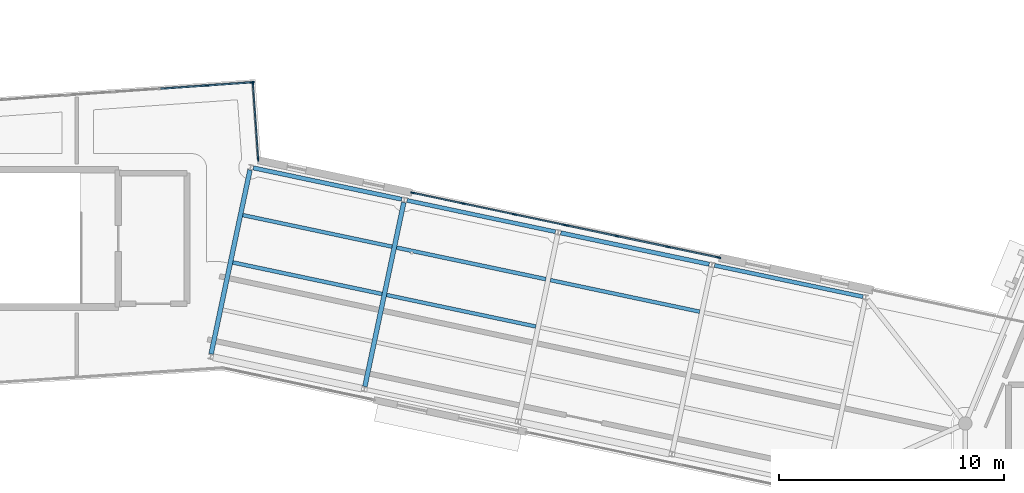
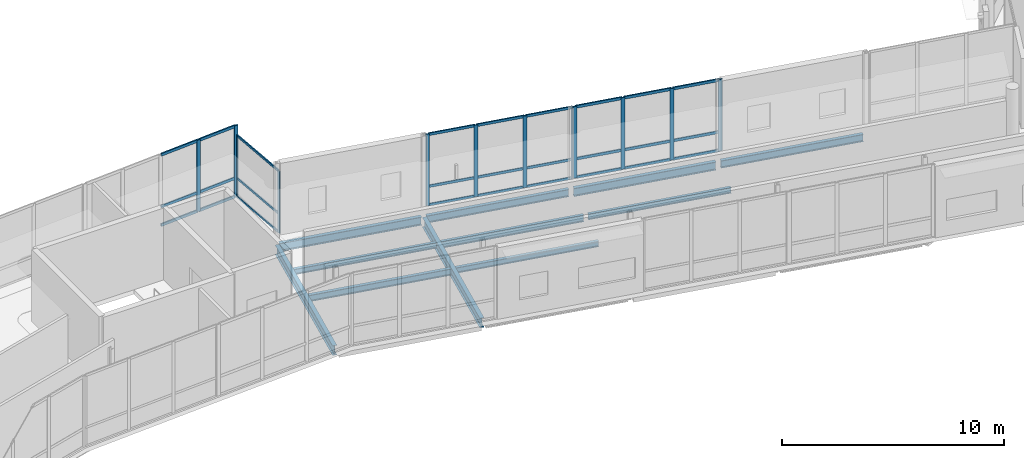
# One storey, part 37 of 125: 39 members, 11 beams, 4 elements without a shape of their own.
"""IFC4 building model written with IfcOpenShell, lengths in metres."""

from ifc_helpers import new_model, si_unit, direction, frame, origin, origin_2d, place, context, subcontext, project, spatial, rectangle, i_section, extrude, material, material_profile, profile_set, type_object, element, aggregate, save


model = new_model("IFC4")

# Units and contexts
model_context = context("Model", 3, precision=1e-05, world=origin(), true_north=direction((0.0, 1.0)))
body_context = subcontext(model_context, "Body", "Model", "MODEL_VIEW")
ifc_project = project(units=[si_unit("LENGTHUNIT", "METRE"), si_unit("AREAUNIT", "SQUARE_METRE"), si_unit("VOLUMEUNIT", "CUBIC_METRE"), si_unit("PLANEANGLEUNIT", "RADIAN"), si_unit("MASSUNIT", "GRAM", prefix="KILO")], contexts=[model_context])

# Site, building, storey
site_placement = place(None, origin())
site = spatial("IfcSite", under=ifc_project, at=site_placement, CompositionType="ELEMENT")
building_placement = place(site_placement, origin())
building = spatial("IfcBuilding", under=site, at=building_placement, Name="Wrenclough Park School", CompositionType="ELEMENT")
storey_placement = place(building_placement, frame((0.0, 0.0, 4.199951171875)))
storey = spatial("IfcBuildingStorey", under=building, at=storey_placement, Name="L01", CompositionType="ELEMENT", Elevation=4.199951171875)

# Curtain wall, members
ifc_material_1 = material(Name="Thermally broken aluminium and low-e glass curtain wall", Category="aluminium")
curtain_wall_type_1 = type_object("IfcCurtainWallType", Name="ENV-CW-04", PredefinedType="USERDEFINED", material=ifc_material_1)
curtain_wall_1_placement = place(storey_placement, origin())
curtain_wall_1 = element("IfcCurtainWall", 1, at=curtain_wall_1_placement, inside=storey, type_object=curtain_wall_type_1, Name="L01 recessed curtain wall assembly 147", ObjectType="CURTAIN WALL", PredefinedType="USERDEFINED")
ifc_material_2 = material(Name="Thermally broken anodised aluminium", Category="aluminium")
ifc_material_profile_1 = material_profile(ifc_material_2, rectangle(XDim=0.06005859375, YDim=0.159912109375, at=origin_2d()), Name="AL MULLION 60x160")
ifc_profile_set_1 = profile_set([ifc_material_profile_1], Name="Thermally broken anodised aluminium")
member_type_1 = type_object("IfcMemberType", Name="ENV-CWM-1", PredefinedType="MULLION", material=ifc_profile_set_1)
member_1_placement = place(storey_placement, frame((101.82421875, 46.00830078125, 0.0), z_axis=(0.0, 0.0, 1.0), x_axis=(0.997566703256, 0.069718523753, 0.0)))
member_1 = element("IfcMember", 2, at=member_1_placement, type_object=member_type_1, Name="CW-04 mullion 1", PredefinedType="MULLION", context=body_context, shape_type="SweptSolid", body=[
    extrude(rectangle(XDim=0.06005859375, YDim=0.159912109375, at=origin_2d()), origin(), (0.0, 0.0, 1.0), 3.4189453125),
])
member_2_placement = place(storey_placement, frame((102.0615234375, 42.61279296875, 0.0), z_axis=(0.0, 0.0, 1.0), x_axis=(0.997566703256, 0.069718523753, 0.0)))
member_2 = element("IfcMember", 3, at=member_2_placement, type_object=member_type_1, Name="CW-04 mullion 2", PredefinedType="MULLION", context=body_context, shape_type="SweptSolid", body=[
    extrude(rectangle(XDim=0.06005859375, YDim=0.159912109375, at=origin_2d()), origin(), (0.0, 0.0, 1.0), 3.4189453125),
])

curtain_wall_type_2 = type_object("IfcCurtainWallType", Name="ENV-CW-05", PredefinedType="USERDEFINED", material=ifc_material_1)
curtain_wall_2_placement = place(storey_placement, origin())
curtain_wall_2 = element("IfcCurtainWall", 4, at=curtain_wall_2_placement, inside=storey, type_object=curtain_wall_type_2, Name="L01 recessed curtain wall assembly 148", ObjectType="CURTAIN WALL", PredefinedType="USERDEFINED")
ifc_material_profile_2 = material_profile(ifc_material_2, rectangle(XDim=0.06494140625, YDim=0.179931640625, at=origin_2d()), Name="AL MULLION 65x180")
ifc_profile_set_2 = profile_set([ifc_material_profile_2], Name="Thermally broken anodised aluminium")
member_type_2 = type_object("IfcMemberType", Name="ENV-CWM-2", PredefinedType="MULLION", material=ifc_profile_set_2)
member_3_placement = place(storey_placement, frame((108.928955078125, 41.127685546875, 0.0), z_axis=(0.0, 0.0, 1.0), x_axis=(0.206819986347, 0.978379013086, 0.0)))
member_3 = element("IfcMember", 5, at=member_3_placement, type_object=member_type_2, Name="CW-05 mullion 1", PredefinedType="MULLION", context=body_context, shape_type="SweptSolid", body=[
    extrude(rectangle(XDim=0.06494140625, YDim=0.179931640625, at=origin_2d()), origin(), (0.0, 0.0, 1.0), 3.93994140625),
])
member_4_placement = place(storey_placement, frame((111.1708984375, 40.65380859375, 0.0), z_axis=(0.0, 0.0, 1.0), x_axis=(0.206819986347, 0.978379013086, 0.0)))
member_4 = element("IfcMember", 6, at=member_4_placement, type_object=member_type_2, Name="CW-05 mullion 2", PredefinedType="MULLION", context=body_context, shape_type="SweptSolid", body=[
    extrude(rectangle(XDim=0.06494140625, YDim=0.179931640625, at=origin_2d()), origin(), (0.0, 0.0, 1.0), 3.93994140625),
])
member_5_placement = place(storey_placement, frame((113.44482421875, 40.173095703125, 0.0), z_axis=(0.0, 0.0, 1.0), x_axis=(0.206819986347, 0.978379013086, 0.0)))
member_5 = element("IfcMember", 7, at=member_5_placement, type_object=member_type_2, Name="CW-05 mullion 3", PredefinedType="MULLION", context=body_context, shape_type="SweptSolid", body=[
    extrude(rectangle(XDim=0.06494140625, YDim=0.179931640625, at=origin_2d()), origin(), (0.0, 0.0, 1.0), 3.93994140625),
])
member_6_placement = place(storey_placement, frame((115.686767578125, 39.69921875, 0.0), z_axis=(0.0, 0.0, 1.0), x_axis=(0.206819986347, 0.978379013086, 0.0)))
member_6 = element("IfcMember", 8, at=member_6_placement, type_object=member_type_2, Name="CW-05 mullion 4", PredefinedType="MULLION", context=body_context, shape_type="SweptSolid", body=[
    extrude(rectangle(XDim=0.06494140625, YDim=0.179931640625, at=origin_2d()), origin(), (0.0, 0.0, 1.0), 3.93994140625),
])

curtain_wall_type_3 = type_object("IfcCurtainWallType", Name="ENV-CW-03", PredefinedType="USERDEFINED", material=ifc_material_1)
curtain_wall_3_placement = place(storey_placement, origin())
curtain_wall_3 = element("IfcCurtainWall", 9, at=curtain_wall_3_placement, inside=storey, type_object=curtain_wall_type_3, Name="L01 recessed curtain wall assembly 146", ObjectType="CURTAIN WALL", PredefinedType="USERDEFINED")
ifc_material_profile_3 = material_profile(ifc_material_2, rectangle(XDim=0.070068359375, YDim=0.199951171875, at=origin_2d()), Name="AL MULLION 70x200")
ifc_profile_set_3 = profile_set([ifc_material_profile_3], Name="Thermally broken anodised aluminium")
member_type_3 = type_object("IfcMemberType", Name="ENV-CWM-3", PredefinedType="MULLION", material=ifc_profile_set_3)
member_7_placement = place(storey_placement, frame((99.7548828125, 45.897705078125, 0.0), z_axis=(0.0, 0.0, 1.0), x_axis=(-0.069752977869, 0.997564294709, 0.0)))
member_7 = element("IfcMember", 10, at=member_7_placement, type_object=member_type_3, Name="CW-03 mullion 4", PredefinedType="MULLION", context=body_context, shape_type="SweptSolid", body=[
    extrude(rectangle(XDim=0.070068359375, YDim=0.199951171875, at=origin_2d()), origin(), (0.0, 0.0, 1.0), 3.93994140625),
])
member_8_placement = place(storey_placement, frame((101.782958984375, 46.03955078125, 0.0), z_axis=(0.0, 0.0, 1.0), x_axis=(-0.069752977869, 0.997564294709, 0.0)))
member_8 = element("IfcMember", 11, at=member_8_placement, type_object=member_type_3, Name="CW-03 mullion 5", PredefinedType="MULLION", context=body_context, shape_type="SweptSolid", body=[
    extrude(rectangle(XDim=0.070068359375, YDim=0.199951171875, at=origin_2d()), origin(), (0.0, 0.0, 1.0), 3.93994140625),
])

curtain_wall_type_4 = type_object("IfcCurtainWallType", Name="ENV-CW-06", PredefinedType="USERDEFINED", material=ifc_material_1)
curtain_wall_4_placement = place(storey_placement, origin())
curtain_wall_4 = element("IfcCurtainWall", 12, at=curtain_wall_4_placement, inside=storey, type_object=curtain_wall_type_4, Name="L01 recessed curtain wall assembly 149", ObjectType="CURTAIN WALL", PredefinedType="USERDEFINED")
member_9_placement = place(storey_placement, frame((115.7607421875, 39.68359375, 0.0), z_axis=(0.0, 0.0, 1.0), x_axis=(0.206806257207, 0.978381915195, 0.0)))
member_9 = element("IfcMember", 13, at=member_9_placement, type_object=member_type_3, Name="CW-06 mullion 1", PredefinedType="MULLION", context=body_context, shape_type="SweptSolid", body=[
    extrude(rectangle(XDim=0.070068359375, YDim=0.199951171875, at=origin_2d()), origin(), (0.0, 0.0, 1.0), 3.93994140625),
])
member_10_placement = place(storey_placement, frame((118.000244140625, 39.210205078125, 0.0), z_axis=(0.0, 0.0, 1.0), x_axis=(0.206806257207, 0.978381915195, 0.0)))
member_10 = element("IfcMember", 14, at=member_10_placement, type_object=member_type_3, Name="CW-06 mullion 2", PredefinedType="MULLION", context=body_context, shape_type="SweptSolid", body=[
    extrude(rectangle(XDim=0.070068359375, YDim=0.199951171875, at=origin_2d()), origin(), (0.0, 0.0, 1.0), 3.93994140625),
])
member_11_placement = place(storey_placement, frame((120.274169921875, 38.7294921875, 0.0), z_axis=(0.0, 0.0, 1.0), x_axis=(0.206806257207, 0.978381915195, 0.0)))
member_11 = element("IfcMember", 15, at=member_11_placement, type_object=member_type_3, Name="CW-06 mullion 3", PredefinedType="MULLION", context=body_context, shape_type="SweptSolid", body=[
    extrude(rectangle(XDim=0.070068359375, YDim=0.199951171875, at=origin_2d()), origin(), (0.0, 0.0, 1.0), 3.93994140625),
])
member_12_placement = place(storey_placement, frame((122.513671875, 38.256103515625, 0.0), z_axis=(0.0, 0.0, 1.0), x_axis=(0.206806257207, 0.978381915195, 0.0)))
member_12 = element("IfcMember", 16, at=member_12_placement, type_object=member_type_3, Name="CW-06 mullion 4", PredefinedType="MULLION", context=body_context, shape_type="SweptSolid", body=[
    extrude(rectangle(XDim=0.070068359375, YDim=0.199951171875, at=origin_2d()), origin(), (0.0, 0.0, 1.0), 3.93994140625),
])

# Member
ifc_material_profile_4 = material_profile(ifc_material_2, rectangle(XDim=0.06005859375, YDim=0.1201171875, at=origin_2d()), Name="AL TRANSOM 60x120")
ifc_profile_set_4 = profile_set([ifc_material_profile_4], Name="Thermally broken anodised aluminium")
member_type_4 = type_object("IfcMemberType", Name="ENV-CWT-1", PredefinedType="USERDEFINED", material=ifc_profile_set_4)
member_13_placement = place(storey_placement, frame((101.826171875, 45.978515625, 0.030029296875), z_axis=(0.069721603924, -0.997566487983, 0.0), x_axis=(0.997566487983, 0.069721603924, 0.0)))
member_13 = element("IfcMember", 17, at=member_13_placement, type_object=member_type_4, Name="CW-04 transom 1.1", ObjectType="TRANSOM", PredefinedType="USERDEFINED", context=body_context, shape_type="SweptSolid", body=[
    extrude(rectangle(XDim=0.06005859375, YDim=0.1201171875, at=origin_2d()), origin(), (0.0, 0.0, 1.0), 3.343994140625),
])

member_14_placement = place(storey_placement, frame((101.826171875, 45.978515625, 1.050048828125), z_axis=(0.069721603924, -0.997566487983, 0.0), x_axis=(0.997566487983, 0.069721603924, 0.0)))
member_14 = element("IfcMember", 18, at=member_14_placement, type_object=member_type_4, Name="CW-04 transom 1.2", ObjectType="TRANSOM", PredefinedType="USERDEFINED", context=body_context, shape_type="SweptSolid", body=[
    extrude(rectangle(XDim=0.06005859375, YDim=0.1201171875, at=origin_2d()), origin(), (0.0, 0.0, 1.0), 3.343994140625),
])

member_15_placement = place(storey_placement, frame((101.826171875, 45.978515625, 3.388916015625), z_axis=(0.069721603924, -0.997566487983, 0.0), x_axis=(0.997566487983, 0.069721603924, 0.0)))
member_15 = element("IfcMember", 19, at=member_15_placement, type_object=member_type_4, Name="CW-04 transom 1.3", ObjectType="TRANSOM", PredefinedType="USERDEFINED", context=body_context, shape_type="SweptSolid", body=[
    extrude(rectangle(XDim=0.06005859375, YDim=0.1201171875, at=origin_2d()), origin(), (0.0, 0.0, 1.0), 3.343994140625),
])

aggregate(curtain_wall_1, [member_1, member_2, member_13, member_14, member_15])

ifc_material_profile_5 = material_profile(ifc_material_2, rectangle(XDim=0.06494140625, YDim=0.139892578125, at=origin_2d()), Name="AL TRANSOM 65x140")
ifc_profile_set_5 = profile_set([ifc_material_profile_5], Name="Thermally broken anodised aluminium")
member_type_5 = type_object("IfcMemberType", Name="ENV-CWT-2", PredefinedType="USERDEFINED", material=ifc_profile_set_5)
member_16_placement = place(storey_placement, frame((108.960693359375, 41.120849609375, 0.032470703125), z_axis=(0.978384272074, -0.206795106705, 0.0), x_axis=(0.206795106705, 0.978384272074, 0.0)))
member_16 = element("IfcMember", 20, at=member_16_placement, type_object=member_type_5, Name="CW-05 transom 1.1", ObjectType="TRANSOM", PredefinedType="USERDEFINED", context=body_context, shape_type="SweptSolid", body=[
    extrude(rectangle(XDim=0.06494140625, YDim=0.139892578125, at=origin_2d()), origin(), (0.0, 0.0, 1.0), 2.2265625),
])

member_17_placement = place(storey_placement, frame((108.960693359375, 41.120849609375, 1.050048828125), z_axis=(0.978384272074, -0.206795106705, 0.0), x_axis=(0.206795106705, 0.978384272074, 0.0)))
member_17 = element("IfcMember", 21, at=member_17_placement, type_object=member_type_5, Name="CW-05 transom 1.2", ObjectType="TRANSOM", PredefinedType="USERDEFINED", context=body_context, shape_type="SweptSolid", body=[
    extrude(rectangle(XDim=0.06494140625, YDim=0.139892578125, at=origin_2d()), origin(), (0.0, 0.0, 1.0), 2.2265625),
])

member_18_placement = place(storey_placement, frame((108.960693359375, 41.120849609375, 3.907470703125), z_axis=(0.978384272074, -0.206795106705, 0.0), x_axis=(0.206795106705, 0.978384272074, 0.0)))
member_18 = element("IfcMember", 22, at=member_18_placement, type_object=member_type_5, Name="CW-05 transom 1.3", ObjectType="TRANSOM", PredefinedType="USERDEFINED", context=body_context, shape_type="SweptSolid", body=[
    extrude(rectangle(XDim=0.06494140625, YDim=0.139892578125, at=origin_2d()), origin(), (0.0, 0.0, 1.0), 2.2265625),
])

member_19_placement = place(storey_placement, frame((111.20263671875, 40.64697265625, 0.032470703125), z_axis=(0.978377464838, -0.206827310327, 0.0), x_axis=(0.206827310327, 0.978377464838, 0.0)))
member_19 = element("IfcMember", 23, at=member_19_placement, type_object=member_type_5, Name="CW-05 transom 2.1", ObjectType="TRANSOM", PredefinedType="USERDEFINED", context=body_context, shape_type="SweptSolid", body=[
    extrude(rectangle(XDim=0.06494140625, YDim=0.139892578125, at=origin_2d()), origin(), (0.0, 0.0, 1.0), 2.25927734375),
])

member_20_placement = place(storey_placement, frame((111.20263671875, 40.64697265625, 1.050048828125), z_axis=(0.978377464838, -0.206827310327, 0.0), x_axis=(0.206827310327, 0.978377464838, 0.0)))
member_20 = element("IfcMember", 24, at=member_20_placement, type_object=member_type_5, Name="CW-05 transom 2.2", ObjectType="TRANSOM", PredefinedType="USERDEFINED", context=body_context, shape_type="SweptSolid", body=[
    extrude(rectangle(XDim=0.06494140625, YDim=0.139892578125, at=origin_2d()), origin(), (0.0, 0.0, 1.0), 2.25927734375),
])

member_21_placement = place(storey_placement, frame((111.20263671875, 40.64697265625, 3.907470703125), z_axis=(0.978377464838, -0.206827310327, 0.0), x_axis=(0.206827310327, 0.978377464838, 0.0)))
member_21 = element("IfcMember", 25, at=member_21_placement, type_object=member_type_5, Name="CW-05 transom 2.3", ObjectType="TRANSOM", PredefinedType="USERDEFINED", context=body_context, shape_type="SweptSolid", body=[
    extrude(rectangle(XDim=0.06494140625, YDim=0.139892578125, at=origin_2d()), origin(), (0.0, 0.0, 1.0), 2.25927734375),
])

member_22_placement = place(storey_placement, frame((113.4765625, 40.166259765625, 0.032470703125), z_axis=(0.978384272074, -0.206795106705, 0.0), x_axis=(0.206795106705, 0.978384272074, 0.0)))
member_22 = element("IfcMember", 26, at=member_22_placement, type_object=member_type_5, Name="CW-05 transom 3.1", ObjectType="TRANSOM", PredefinedType="USERDEFINED", context=body_context, shape_type="SweptSolid", body=[
    extrude(rectangle(XDim=0.06494140625, YDim=0.139892578125, at=origin_2d()), origin(), (0.0, 0.0, 1.0), 2.2265625),
])

member_23_placement = place(storey_placement, frame((113.4765625, 40.166259765625, 1.050048828125), z_axis=(0.978384272074, -0.206795106705, 0.0), x_axis=(0.206795106705, 0.978384272074, 0.0)))
member_23 = element("IfcMember", 27, at=member_23_placement, type_object=member_type_5, Name="CW-05 transom 3.2", ObjectType="TRANSOM", PredefinedType="USERDEFINED", context=body_context, shape_type="SweptSolid", body=[
    extrude(rectangle(XDim=0.06494140625, YDim=0.139892578125, at=origin_2d()), origin(), (0.0, 0.0, 1.0), 2.2265625),
])

member_24_placement = place(storey_placement, frame((113.4765625, 40.166259765625, 3.907470703125), z_axis=(0.978384272074, -0.206795106705, 0.0), x_axis=(0.206795106705, 0.978384272074, 0.0)))
member_24 = element("IfcMember", 28, at=member_24_placement, type_object=member_type_5, Name="CW-05 transom 3.3", ObjectType="TRANSOM", PredefinedType="USERDEFINED", context=body_context, shape_type="SweptSolid", body=[
    extrude(rectangle(XDim=0.06494140625, YDim=0.139892578125, at=origin_2d()), origin(), (0.0, 0.0, 1.0), 2.2265625),
])

aggregate(curtain_wall_2, [member_3, member_4, member_5, member_6, member_16, member_17, member_18, member_19, member_20, member_21, member_22, member_23, member_24])

ifc_material_profile_6 = material_profile(ifc_material_2, rectangle(XDim=0.070068359375, YDim=0.14990234375, at=origin_2d()), Name="AL TRANSOM 70x150")
ifc_profile_set_6 = profile_set([ifc_material_profile_6], Name="Thermally broken anodised aluminium")
member_type_6 = type_object("IfcMemberType", Name="ENV-CWT-3", PredefinedType="USERDEFINED", material=ifc_profile_set_6)
member_25_placement = place(storey_placement, frame((97.726806640625, 45.755859375, 0.03515625), z_axis=(0.997563051015, 0.069770762142, 0.0), x_axis=(-0.069770762142, 0.997563051015, 0.0)))
member_25 = element("IfcMember", 29, at=member_25_placement, type_object=member_type_6, Name="CW-03 transom 3.1", ObjectType="TRANSOM", PredefinedType="USERDEFINED", context=body_context, shape_type="SweptSolid", body=[
    extrude(rectangle(XDim=0.070068359375, YDim=0.14990234375, at=origin_2d()), origin(), (0.0, 0.0, 1.0), 1.998046875),
])

member_26_placement = place(storey_placement, frame((97.726806640625, 45.755859375, 1.050048828125), z_axis=(0.997563051015, 0.069770762142, 0.0), x_axis=(-0.069770762142, 0.997563051015, 0.0)))
member_26 = element("IfcMember", 30, at=member_26_placement, type_object=member_type_6, Name="CW-03 transom 3.2", ObjectType="TRANSOM", PredefinedType="USERDEFINED", context=body_context, shape_type="SweptSolid", body=[
    extrude(rectangle(XDim=0.070068359375, YDim=0.14990234375, at=origin_2d()), origin(), (0.0, 0.0, 1.0), 1.998046875),
])

member_27_placement = place(storey_placement, frame((97.726806640625, 45.755859375, 3.905029296875), z_axis=(0.997563051015, 0.069770762142, 0.0), x_axis=(-0.069770762142, 0.997563051015, 0.0)))
member_27 = element("IfcMember", 31, at=member_27_placement, type_object=member_type_6, Name="CW-03 transom 3.3", ObjectType="TRANSOM", PredefinedType="USERDEFINED", context=body_context, shape_type="SweptSolid", body=[
    extrude(rectangle(XDim=0.070068359375, YDim=0.14990234375, at=origin_2d()), origin(), (0.0, 0.0, 1.0), 1.998046875),
])

member_28_placement = place(storey_placement, frame((99.789794921875, 45.900146484375, 0.03515625), z_axis=(0.997563037231, 0.069770959218, 0.0), x_axis=(-0.069770959218, 0.997563037231, 0.0)))
member_28 = element("IfcMember", 32, at=member_28_placement, type_object=member_type_6, Name="CW-03 transom 4.1", ObjectType="TRANSOM", PredefinedType="USERDEFINED", context=body_context, shape_type="SweptSolid", body=[
    extrude(rectangle(XDim=0.070068359375, YDim=0.14990234375, at=origin_2d()), origin(), (0.0, 0.0, 1.0), 1.963134765625),
])

member_29_placement = place(storey_placement, frame((99.789794921875, 45.900146484375, 1.050048828125), z_axis=(0.997563037231, 0.069770959218, 0.0), x_axis=(-0.069770959218, 0.997563037231, 0.0)))
member_29 = element("IfcMember", 33, at=member_29_placement, type_object=member_type_6, Name="CW-03 transom 4.2", ObjectType="TRANSOM", PredefinedType="USERDEFINED", context=body_context, shape_type="SweptSolid", body=[
    extrude(rectangle(XDim=0.070068359375, YDim=0.14990234375, at=origin_2d()), origin(), (0.0, 0.0, 1.0), 1.963134765625),
])

member_30_placement = place(storey_placement, frame((99.789794921875, 45.900146484375, 3.905029296875), z_axis=(0.997563037231, 0.069770959218, 0.0), x_axis=(-0.069770959218, 0.997563037231, 0.0)))
member_30 = element("IfcMember", 34, at=member_30_placement, type_object=member_type_6, Name="CW-03 transom 4.3", ObjectType="TRANSOM", PredefinedType="USERDEFINED", context=body_context, shape_type="SweptSolid", body=[
    extrude(rectangle(XDim=0.070068359375, YDim=0.14990234375, at=origin_2d()), origin(), (0.0, 0.0, 1.0), 1.963134765625),
])

aggregate(curtain_wall_3, [member_7, member_8, member_25, member_26, member_27, member_28, member_29, member_30])

member_31_placement = place(storey_placement, frame((115.794921875, 39.67626953125, 0.03515625), z_axis=(0.978376682917, -0.206831009095, 0.0), x_axis=(0.206831009095, 0.978376682917, 0.0)))
member_31 = element("IfcMember", 35, at=member_31_placement, type_object=member_type_6, Name="CW-06 transom 1.1", ObjectType="TRANSOM", PredefinedType="USERDEFINED", context=body_context, shape_type="SweptSolid", body=[
    extrude(rectangle(XDim=0.070068359375, YDim=0.14990234375, at=origin_2d()), origin(), (0.0, 0.0, 1.0), 2.21923828125),
])

member_32_placement = place(storey_placement, frame((115.794921875, 39.67626953125, 1.050048828125), z_axis=(0.978376682917, -0.206831009095, 0.0), x_axis=(0.206831009095, 0.978376682917, 0.0)))
member_32 = element("IfcMember", 36, at=member_32_placement, type_object=member_type_6, Name="CW-06 transom 1.2", ObjectType="TRANSOM", PredefinedType="USERDEFINED", context=body_context, shape_type="SweptSolid", body=[
    extrude(rectangle(XDim=0.070068359375, YDim=0.14990234375, at=origin_2d()), origin(), (0.0, 0.0, 1.0), 2.21923828125),
])

member_33_placement = place(storey_placement, frame((115.794921875, 39.67626953125, 3.905029296875), z_axis=(0.978376682917, -0.206831009095, 0.0), x_axis=(0.206831009095, 0.978376682917, 0.0)))
member_33 = element("IfcMember", 37, at=member_33_placement, type_object=member_type_6, Name="CW-06 transom 1.3", ObjectType="TRANSOM", PredefinedType="USERDEFINED", context=body_context, shape_type="SweptSolid", body=[
    extrude(rectangle(XDim=0.070068359375, YDim=0.14990234375, at=origin_2d()), origin(), (0.0, 0.0, 1.0), 2.21923828125),
])

member_34_placement = place(storey_placement, frame((118.034423828125, 39.202880859375, 0.03515625), z_axis=(0.978389750945, -0.2067691835, 0.0), x_axis=(0.2067691835, 0.978389750945, 0.0)))
member_34 = element("IfcMember", 38, at=member_34_placement, type_object=member_type_6, Name="CW-06 transom 2.1", ObjectType="TRANSOM", PredefinedType="USERDEFINED", context=body_context, shape_type="SweptSolid", body=[
    extrude(rectangle(XDim=0.070068359375, YDim=0.14990234375, at=origin_2d()), origin(), (0.0, 0.0, 1.0), 2.254150390625),
])

member_35_placement = place(storey_placement, frame((118.034423828125, 39.202880859375, 1.050048828125), z_axis=(0.978389750945, -0.2067691835, 0.0), x_axis=(0.2067691835, 0.978389750945, 0.0)))
member_35 = element("IfcMember", 39, at=member_35_placement, type_object=member_type_6, Name="CW-06 transom 2.2", ObjectType="TRANSOM", PredefinedType="USERDEFINED", context=body_context, shape_type="SweptSolid", body=[
    extrude(rectangle(XDim=0.070068359375, YDim=0.14990234375, at=origin_2d()), origin(), (0.0, 0.0, 1.0), 2.254150390625),
])

member_36_placement = place(storey_placement, frame((118.034423828125, 39.202880859375, 3.905029296875), z_axis=(0.978389750945, -0.2067691835, 0.0), x_axis=(0.2067691835, 0.978389750945, 0.0)))
member_36 = element("IfcMember", 40, at=member_36_placement, type_object=member_type_6, Name="CW-06 transom 2.3", ObjectType="TRANSOM", PredefinedType="USERDEFINED", context=body_context, shape_type="SweptSolid", body=[
    extrude(rectangle(XDim=0.070068359375, YDim=0.14990234375, at=origin_2d()), origin(), (0.0, 0.0, 1.0), 2.254150390625),
])

member_37_placement = place(storey_placement, frame((120.308349609375, 38.722412109375, 0.03515625), z_axis=(0.978376682917, -0.206831009095, 0.0), x_axis=(0.206831009095, 0.978376682917, 0.0)))
member_37 = element("IfcMember", 41, at=member_37_placement, type_object=member_type_6, Name="CW-06 transom 3.1", ObjectType="TRANSOM", PredefinedType="USERDEFINED", context=body_context, shape_type="SweptSolid", body=[
    extrude(rectangle(XDim=0.070068359375, YDim=0.14990234375, at=origin_2d()), origin(), (0.0, 0.0, 1.0), 2.21923828125),
])

member_38_placement = place(storey_placement, frame((120.308349609375, 38.722412109375, 1.050048828125), z_axis=(0.978376682917, -0.206831009095, 0.0), x_axis=(0.206831009095, 0.978376682917, 0.0)))
member_38 = element("IfcMember", 42, at=member_38_placement, type_object=member_type_6, Name="CW-06 transom 3.2", ObjectType="TRANSOM", PredefinedType="USERDEFINED", context=body_context, shape_type="SweptSolid", body=[
    extrude(rectangle(XDim=0.070068359375, YDim=0.14990234375, at=origin_2d()), origin(), (0.0, 0.0, 1.0), 2.21923828125),
])

member_39_placement = place(storey_placement, frame((120.308349609375, 38.722412109375, 3.905029296875), z_axis=(0.978376682917, -0.206831009095, 0.0), x_axis=(0.206831009095, 0.978376682917, 0.0)))
member_39 = element("IfcMember", 43, at=member_39_placement, type_object=member_type_6, Name="CW-06 transom 3.3", ObjectType="TRANSOM", PredefinedType="USERDEFINED", context=body_context, shape_type="SweptSolid", body=[
    extrude(rectangle(XDim=0.070068359375, YDim=0.14990234375, at=origin_2d()), origin(), (0.0, 0.0, 1.0), 2.21923828125),
])

aggregate(curtain_wall_4, [member_9, member_10, member_11, member_12, member_31, member_32, member_33, member_34, member_35, member_36, member_37, member_38, member_39])

# Beams
ifc_material_3 = material(Name="Structural steel S355", Category="steel")
ifc_material_profile_7 = material_profile(ifc_material_3, i_section(OverallWidth=0.1650390625, OverallDepth=0.303466796875, WebThickness=0.006103515625, FlangeThickness=0.01025390625, FilletRadius=0.0087890625, at=origin_2d()), Name="UKB 305x165x40")
ifc_profile_set_7 = profile_set([ifc_material_profile_7], Name="Structural steel S355")
beam_type_1 = type_object("IfcBeamType", Name="STR-BM-UKB305", PredefinedType="JOIST", material=ifc_profile_set_7)
for number, where, z_axis, x_axis, name in (
    (44, (101.38037109375, 40.137451171875, -0.3916015625), (0.978375092165, -0.20683853372, 0.0), (0.20683853372, 0.978375092165, 0.0), "W12 L01 secondary floor joist 0013"),
    (45, (107.76904296875, 36.589599609375, -0.3916015625), (0.978375092165, -0.20683853372, 0.0), (0.20683853372, 0.978375092165, 0.0), "W12 L01 secondary floor joist 0017"),
):
    element("IfcBeam", number, at=place(storey_placement, frame(where, z_axis=z_axis, x_axis=x_axis)), inside=storey, type_object=beam_type_1, Name=name, PredefinedType="JOIST", context=body_context, shape_type="SweptSolid", body=[
        extrude(i_section(OverallWidth=0.1650390625, OverallDepth=0.303466796875, WebThickness=0.006103515625, FlangeThickness=0.01025390625, FilletRadius=0.0087890625, at=origin_2d()), origin(), (0.0, 0.0, 1.0), 6.775146484375),
    ])
beam_1_placement = place(storey_placement, frame((115.047119140625, 37.24853515625, -0.3916015625), z_axis=(0.978380842558, -0.206811331692, 0.0), x_axis=(0.206811331692, 0.978380842558, 0.0)))
element("IfcBeam", 46, at=beam_1_placement, inside=storey, type_object=beam_type_1, Name="W12 L01 secondary floor joist 0019", PredefinedType="JOIST", context=body_context, shape_type="SweptSolid", body=[
    extrude(i_section(OverallWidth=0.1650390625, OverallDepth=0.303466796875, WebThickness=0.006103515625, FlangeThickness=0.01025390625, FilletRadius=0.0087890625, at=origin_2d()), origin(), (0.0, 0.0, 1.0), 6.77490234375),
])
ifc_material_profile_8 = material_profile(ifc_material_3, i_section(OverallWidth=0.17138671875, OverallDepth=0.35498046875, WebThickness=0.00732421875, FlangeThickness=0.011474609375, FilletRadius=0.01025390625, at=origin_2d()), Name="UKB 356x171x51")
ifc_profile_set_8 = profile_set([ifc_material_profile_8], Name="Structural steel S355")
beam_type_2 = type_object("IfcBeamType", Name="STR-BM-UKB356", PredefinedType="JOIST", material=ifc_profile_set_8)
beam_2_placement = place(storey_placement, frame((100.935791015625, 38.033935546875, -0.41748046875), z_axis=(0.978380842558, -0.206811331692, 0.0), x_axis=(0.206811331692, 0.978380842558, 0.0)))
element("IfcBeam", 47, at=beam_2_placement, inside=storey, type_object=beam_type_2, Name="W12 L01 secondary floor joist 0014", PredefinedType="JOIST", context=body_context, shape_type="SweptSolid", body=[
    extrude(i_section(OverallWidth=0.17138671875, OverallDepth=0.35498046875, WebThickness=0.00732421875, FlangeThickness=0.011474609375, FilletRadius=0.01025390625, at=origin_2d()), origin(), (0.0, 0.0, 1.0), 6.77490234375),
])
beam_3_placement = place(storey_placement, frame((108.213623046875, 38.693115234375, -0.41748046875), z_axis=(0.978375092165, -0.20683853372, 0.0), x_axis=(0.20683853372, 0.978375092165, 0.0)))
element("IfcBeam", 48, at=beam_3_placement, inside=storey, type_object=beam_type_2, Name="W12 L01 secondary floor joist 0016", PredefinedType="JOIST", context=body_context, shape_type="SweptSolid", body=[
    extrude(i_section(OverallWidth=0.17138671875, OverallDepth=0.35498046875, WebThickness=0.00732421875, FlangeThickness=0.011474609375, FilletRadius=0.01025390625, at=origin_2d()), origin(), (0.0, 0.0, 1.0), 6.775146484375),
])
ifc_material_profile_9 = material_profile(ifc_material_3, i_section(OverallWidth=0.177978515625, OverallDepth=0.406494140625, WebThickness=0.0078125, FlangeThickness=0.0126953125, FilletRadius=0.01025390625, at=origin_2d()), Name="UKB 406x178x60")
ifc_profile_set_9 = profile_set([ifc_material_profile_9], Name="Structural steel S355")
beam_type_3 = type_object("IfcBeamType", Name="STR-BM-UKB406", PredefinedType="BEAM", material=ifc_profile_set_9)
beam_4_placement = place(storey_placement, frame((108.675537109375, 40.792724609375, -0.443115234375), z_axis=(0.978383822799, -0.206797232298, 0.0), x_axis=(0.206797232298, 0.978383822799, 0.0)))
element("IfcBeam", 49, at=beam_4_placement, inside=storey, type_object=beam_type_3, Name="W12 L01 longitudinal edge beam L2", PredefinedType="BEAM", context=body_context, shape_type="SweptSolid", body=[
    extrude(i_section(OverallWidth=0.177978515625, OverallDepth=0.406494140625, WebThickness=0.0078125, FlangeThickness=0.0126953125, FilletRadius=0.01025390625, at=origin_2d()), origin(), (0.0, 0.0, 1.0), 6.739990234375),
])
beam_5_placement = place(storey_placement, frame((122.34228515625, 37.904052734375, -0.443115234375), z_axis=(0.97837494367, -0.20683923612, 0.0), x_axis=(0.20683923612, 0.97837494367, 0.0)))
element("IfcBeam", 50, at=beam_5_placement, inside=storey, type_object=beam_type_3, Name="W12 L01 longitudinal edge beam L4", PredefinedType="BEAM", context=body_context, shape_type="SweptSolid", body=[
    extrude(i_section(OverallWidth=0.177978515625, OverallDepth=0.406494140625, WebThickness=0.0078125, FlangeThickness=0.0126953125, FilletRadius=0.01025390625, at=origin_2d()), origin(), (0.0, 0.0, 1.0), 6.73974609375),
])
ifc_material_profile_10 = material_profile(ifc_material_3, i_section(OverallWidth=0.18994140625, OverallDepth=0.453369140625, WebThickness=0.008544921875, FlangeThickness=0.0126953125, FilletRadius=0.01025390625, at=origin_2d()), Name="UKB 457x191x67")
ifc_profile_set_10 = profile_set([ifc_material_profile_10], Name="Structural steel S355")
beam_type_4 = type_object("IfcBeamType", Name="STR-BM-UKB457A", PredefinedType="BEAM", material=ifc_profile_set_10)
beam_6_placement = place(storey_placement, frame((101.84228515625, 42.2373046875, -0.466552734375), z_axis=(0.978382273635, -0.206804561449, 0.0), x_axis=(0.206804561449, 0.978382273635, 0.0)))
element("IfcBeam", 51, at=beam_6_placement, inside=storey, type_object=beam_type_4, Name="W12 L01 longitudinal edge beam L1", PredefinedType="BEAM", context=body_context, shape_type="SweptSolid", body=[
    extrude(i_section(OverallWidth=0.18994140625, OverallDepth=0.453369140625, WebThickness=0.008544921875, FlangeThickness=0.0126953125, FilletRadius=0.01025390625, at=origin_2d()), origin(), (0.0, 0.0, 1.0), 6.73974609375),
])
beam_7_placement = place(storey_placement, frame((115.5087890625, 39.348388671875, -0.466552734375), z_axis=(0.978383822799, -0.206797232298, 0.0), x_axis=(0.206797232298, 0.978383822799, 0.0)))
element("IfcBeam", 52, at=beam_7_placement, inside=storey, type_object=beam_type_4, Name="W12 L01 longitudinal edge beam L3", PredefinedType="BEAM", context=body_context, shape_type="SweptSolid", body=[
    extrude(i_section(OverallWidth=0.18994140625, OverallDepth=0.453369140625, WebThickness=0.008544921875, FlangeThickness=0.0126953125, FilletRadius=0.01025390625, at=origin_2d()), origin(), (0.0, 0.0, 1.0), 6.739990234375),
])
ifc_material_profile_11 = material_profile(ifc_material_3, i_section(OverallWidth=0.209228515625, OverallDepth=0.533203125, WebThickness=0.010009765625, FlangeThickness=0.015625, FilletRadius=0.0126953125, at=origin_2d()), Name="UKB 533x210x92")
ifc_profile_set_11 = profile_set([ifc_material_profile_11], Name="Structural steel S355")
beam_type_5 = type_object("IfcBeamType", Name="STR-BM-UKB533A", PredefinedType="BEAM", material=ifc_profile_set_11)
beam_8_placement = place(storey_placement, frame((101.697265625, 42.14306640625, -0.506591796875), z_axis=(-0.206808534812, -0.978381433761, 0.0), x_axis=(0.978381433761, -0.206808534812, 0.0)))
element("IfcBeam", 53, at=beam_8_placement, inside=storey, type_object=beam_type_5, Name="W12 L01 transverse floor beam 1", PredefinedType="BEAM", context=body_context, shape_type="SweptSolid", body=[
    extrude(i_section(OverallWidth=0.209228515625, OverallDepth=0.533203125, WebThickness=0.010009765625, FlangeThickness=0.015625, FilletRadius=0.0126953125, at=origin_2d()), origin(), (0.0, 0.0, 1.0), 8.355712890625),
])
beam_9_placement = place(storey_placement, frame((108.53076171875, 40.698486328125, -0.506591796875), z_axis=(-0.206814446979, -0.978380184039, 0.0), x_axis=(0.978380184039, -0.206814446979, 0.0)))
element("IfcBeam", 54, at=beam_9_placement, inside=storey, type_object=beam_type_5, Name="W12 L01 transverse floor beam 2", PredefinedType="BEAM", context=body_context, shape_type="SweptSolid", body=[
    extrude(i_section(OverallWidth=0.209228515625, OverallDepth=0.533203125, WebThickness=0.010009765625, FlangeThickness=0.015625, FilletRadius=0.0126953125, at=origin_2d()), origin(), (0.0, 0.0, 1.0), 8.35546875),
])

save(model, "model.ifc")
